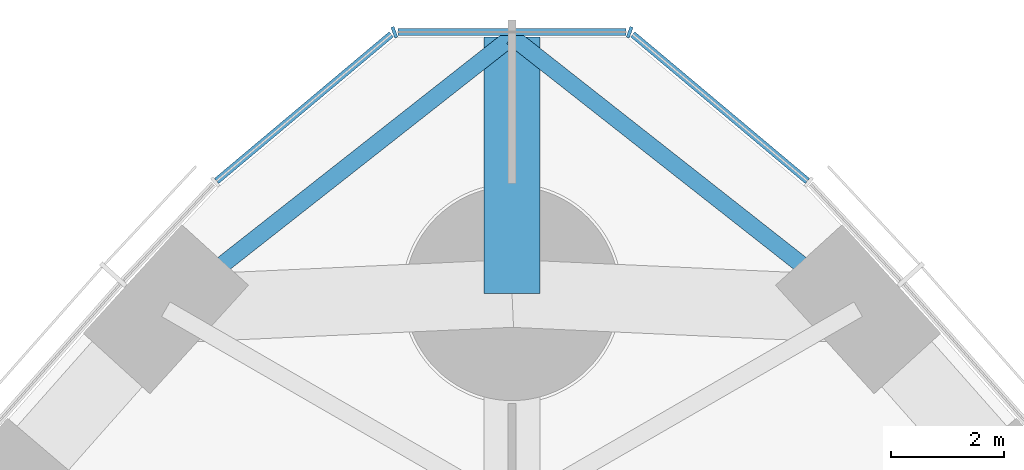
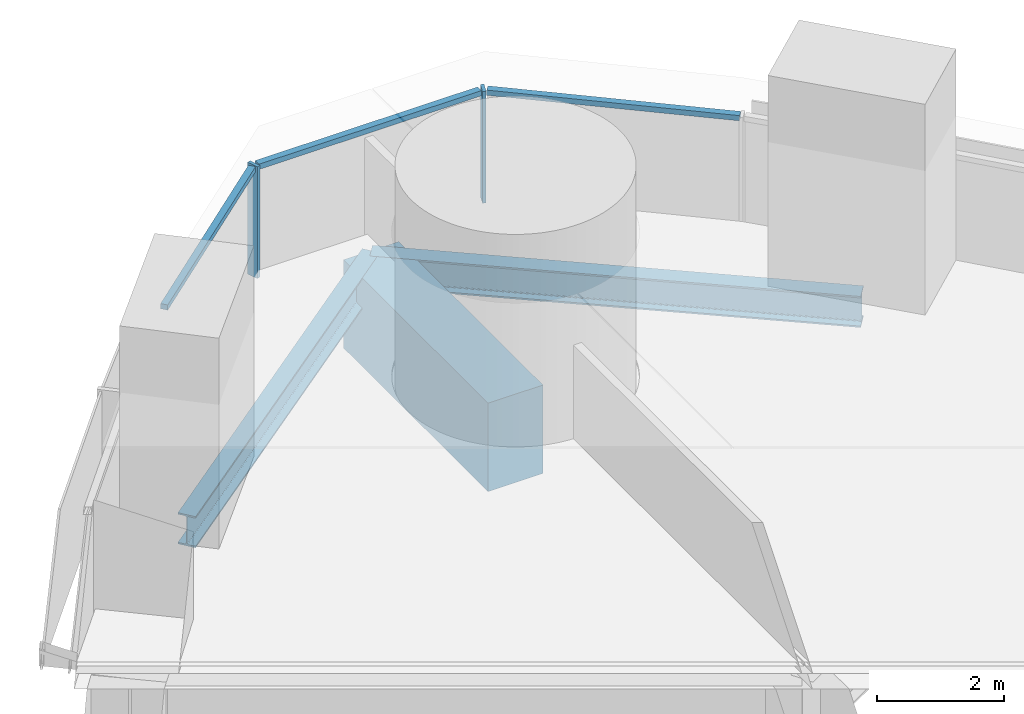
# One storey, part 8 of 18: 5 members, 3 beams, 1 element without a shape of its own.
"""IFC4 building model written with IfcOpenShell, lengths in metres."""

from ifc_helpers import new_model, si_unit, direction, frame, origin, origin_2d, place, context, subcontext, project, spatial, rectangle, i_section, extrude, material, material_profile, profile_set, type_object, element, aggregate, save


model = new_model("IFC4")

# Units and contexts
model_context = context("Model", 3, precision=1e-05, world=origin(), true_north=direction((0.0, 1.0)))
body_context = subcontext(model_context, "Body", "Model", "MODEL_VIEW")
ifc_project = project(units=[si_unit("LENGTHUNIT", "METRE"), si_unit("AREAUNIT", "SQUARE_METRE"), si_unit("VOLUMEUNIT", "CUBIC_METRE"), si_unit("PLANEANGLEUNIT", "RADIAN"), si_unit("MASSUNIT", "GRAM", prefix="KILO")], contexts=[model_context])

# Site, building, storey
site_placement = place(None, origin())
site = spatial("IfcSite", under=ifc_project, at=site_placement, CompositionType="ELEMENT")
building_placement = place(site_placement, origin())
building = spatial("IfcBuilding", under=site, at=building_placement, Name="Trefoil Bronze Tower", CompositionType="ELEMENT")
storey_placement = place(building_placement, frame((0.0, 0.0, 174.5)))
storey = spatial("IfcBuildingStorey", under=building, at=storey_placement, Name="L40", CompositionType="ELEMENT", Elevation=174.5)

# Curtain wall, members
ifc_material_1 = material(Name="Tinted solar-control glass", Category="glass")
curtain_wall_type = type_object("IfcCurtainWallType", Name="Bronze rounded corner curtain wall", PredefinedType="USERDEFINED", material=ifc_material_1)
curtain_wall_placement = place(storey_placement, origin())
curtain_wall = element("IfcCurtainWall", 1, at=curtain_wall_placement, inside=storey, type_object=curtain_wall_type, Name="CW-B L40 K2", ObjectType="CURTAIN WALL", PredefinedType="USERDEFINED")
ifc_material_2 = material(Name="Bronze-finish aluminium", Category="aluminium")
ifc_material_profile_1 = material_profile(ifc_material_2, rectangle(XDim=0.199951171875, YDim=0.06005859375, at=origin_2d()), Name="CW-B mullion")
ifc_profile_set_1 = profile_set([ifc_material_profile_1], Name="Bronze-finish aluminium")
member_type_1 = type_object("IfcMemberType", Name="Bronze rounded corner curtain wall mullion", PredefinedType="MULLION", material=ifc_profile_set_1)
member_1_placement = place(storey_placement, frame((2.08642578125, 39.631591796875, 0.0), z_axis=(0.0, 0.0, 1.0), x_axis=(-0.342020143326, -0.939692620786, 0.0)))
member_1 = element("IfcMember", 2, at=member_1_placement, type_object=member_type_1, Name="CW-B L40 K2 mullion 2", PredefinedType="MULLION", context=body_context, shape_type="SweptSolid", body=[
    extrude(rectangle(XDim=0.199951171875, YDim=0.06005859375, at=origin_2d()), origin(), (0.0, 0.0, 1.0), 2.14990234375),
])
member_2_placement = place(storey_placement, frame((-2.08642578125, 39.631591796875, 0.0), z_axis=(0.0, 0.0, 1.0), x_axis=(0.342020143326, -0.939692620786, 0.0)))
member_2 = element("IfcMember", 3, at=member_2_placement, type_object=member_type_1, Name="CW-B L40 K2 mullion 3", PredefinedType="MULLION", context=body_context, shape_type="SweptSolid", body=[
    extrude(rectangle(XDim=0.199951171875, YDim=0.06005859375, at=origin_2d()), origin(), (0.0, 0.0, 1.0), 2.14990234375),
])
ifc_material_3 = material(Name="Bronze-finish aluminium", Category="aluminium")
ifc_material_profile_2 = material_profile(ifc_material_3, rectangle(XDim=0.1201171875, YDim=0.10009765625, at=origin_2d()), Name="CW-B transom")
ifc_profile_set_2 = profile_set([ifc_material_profile_2], Name="Bronze-finish aluminium")
member_type_2 = type_object("IfcMemberType", Name="Bronze rounded corner curtain wall transom", PredefinedType="USERDEFINED", material=ifc_profile_set_2)
member_3_placement = place(storey_placement, frame((5.237548828125, 36.9951171875, 2.10009765625), z_axis=(-0.766049624684, 0.642781434487, 0.0), x_axis=(-0.642781434487, -0.766049624684, 0.0)))
member_3 = element("IfcMember", 4, at=member_3_placement, type_object=member_type_2, Name="CW-B L40 K2 transom 1", ObjectType="TRANSOM", PredefinedType="USERDEFINED", context=body_context, shape_type="SweptSolid", body=[
    extrude(rectangle(XDim=0.1201171875, YDim=0.10009765625, at=origin_2d()), origin(), (0.0, 0.0, 1.0), 4.04443359375),
])
member_4_placement = place(storey_placement, frame((2.022216796875, 39.637451171875, 2.10009765625), z_axis=(-1.0, 0.0, 0.0), x_axis=(0.0, -1.0, 0.0)))
member_4 = element("IfcMember", 5, at=member_4_placement, type_object=member_type_2, Name="CW-B L40 K2 transom 2", ObjectType="TRANSOM", PredefinedType="USERDEFINED", context=body_context, shape_type="SweptSolid", body=[
    extrude(rectangle(XDim=0.1201171875, YDim=0.10009765625, at=origin_2d()), origin(), (0.0, 0.0, 1.0), 4.04443359375),
])
member_5_placement = place(storey_placement, frame((-2.139404296875, 39.5947265625, 2.10009765625), z_axis=(-0.766049624684, -0.642781434487, 0.0), x_axis=(0.642781434487, -0.766049624684, 0.0)))
member_5 = element("IfcMember", 6, at=member_5_placement, type_object=member_type_2, Name="CW-B L40 K2 transom 3", ObjectType="TRANSOM", PredefinedType="USERDEFINED", context=body_context, shape_type="SweptSolid", body=[
    extrude(rectangle(XDim=0.1201171875, YDim=0.10009765625, at=origin_2d()), origin(), (0.0, 0.0, 1.0), 4.04443359375),
])
aggregate(curtain_wall, [member_1, member_2, member_3, member_4, member_5])

# Beams
ifc_material_4 = material(Name="Concrete B80", Category="concrete")
ifc_material_profile_3 = material_profile(ifc_material_4, rectangle(XDim=1.0, YDim=1.699951171875, at=origin_2d()), Name="RC 1000x1700")
ifc_profile_set_3 = profile_set([ifc_material_profile_3], Name="Concrete B80")
beam_type_1 = type_object("IfcBeamType", Name="Corner cantilever RC 1000x1700", PredefinedType="BEAM", material=ifc_profile_set_3)
beam_placement = place(storey_placement, frame((0.0, 35.0, -1.050048828125), z_axis=(0.0, 1.0, 0.0), x_axis=(-1.0, 0.0, 0.0)))
element("IfcBeam", 7, at=beam_placement, inside=storey, type_object=beam_type_1, Name="Corner cantilever K2 L40", PredefinedType="BEAM", context=body_context, shape_type="SweptSolid", body=[
    extrude(rectangle(XDim=1.0, YDim=1.699951171875, at=origin_2d()), origin(), (0.0, 0.0, 1.0), 4.54931640625),
])
ifc_material_5 = material(Name="Steel C355", Category="steel")
ifc_material_profile_4 = material_profile(ifc_material_5, i_section(OverallWidth=0.300048828125, OverallDepth=0.60009765625, WebThickness=0.015380859375, FlangeThickness=0.030029296875, FilletRadius=0.027099609375, at=origin_2d()), Name="HEB 600")
ifc_profile_set_4 = profile_set([ifc_material_profile_4], Name="Steel C355")
beam_type_2 = type_object("IfcBeamType", Name="Corner edge beam HEB 600", PredefinedType="BEAM", material=ifc_profile_set_4)
for number, where, z_axis, x_axis, name in (
    (8, (6.13916015625, 34.72119140625, -0.5), (-0.786038406433, 0.61817766347, 0.0), (-0.61817766347, -0.786038406433, 0.0), "Corner edge beam F2A L40"),
    (9, (-6.13916015625, 34.72119140625, -0.5), (0.786038406433, 0.61817766347, 0.0), (-0.61817766347, 0.786038406433, 0.0), "Corner edge beam F3B L40"),
):
    element("IfcBeam", number, at=place(storey_placement, frame(where, z_axis=z_axis, x_axis=x_axis)), inside=storey, type_object=beam_type_2, Name=name, PredefinedType="BEAM", context=body_context, shape_type="SweptSolid", body=[
        extrude(i_section(OverallWidth=0.300048828125, OverallDepth=0.60009765625, WebThickness=0.015380859375, FlangeThickness=0.030029296875, FilletRadius=0.027099609375, at=origin_2d()), origin(), (0.0, 0.0, 1.0), 7.810302734375),
    ])

save(model, "model.ifc")
